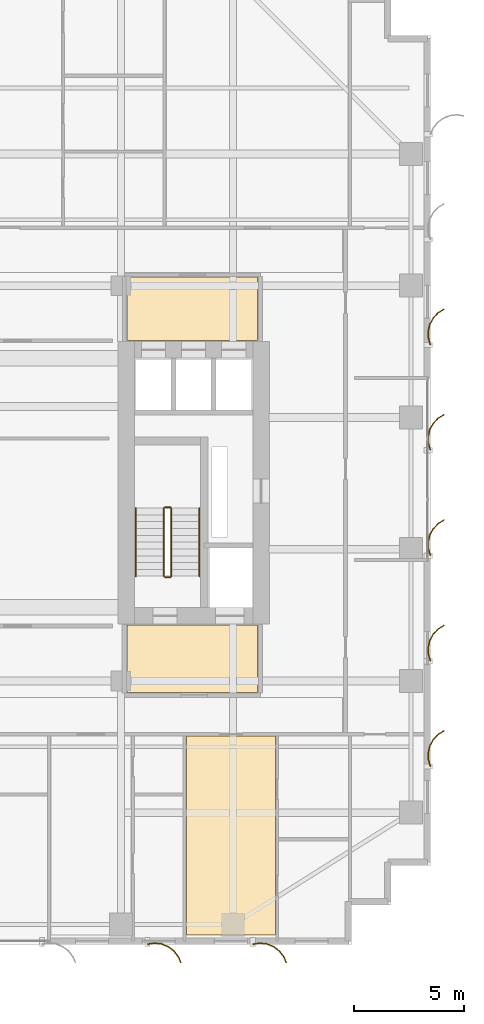
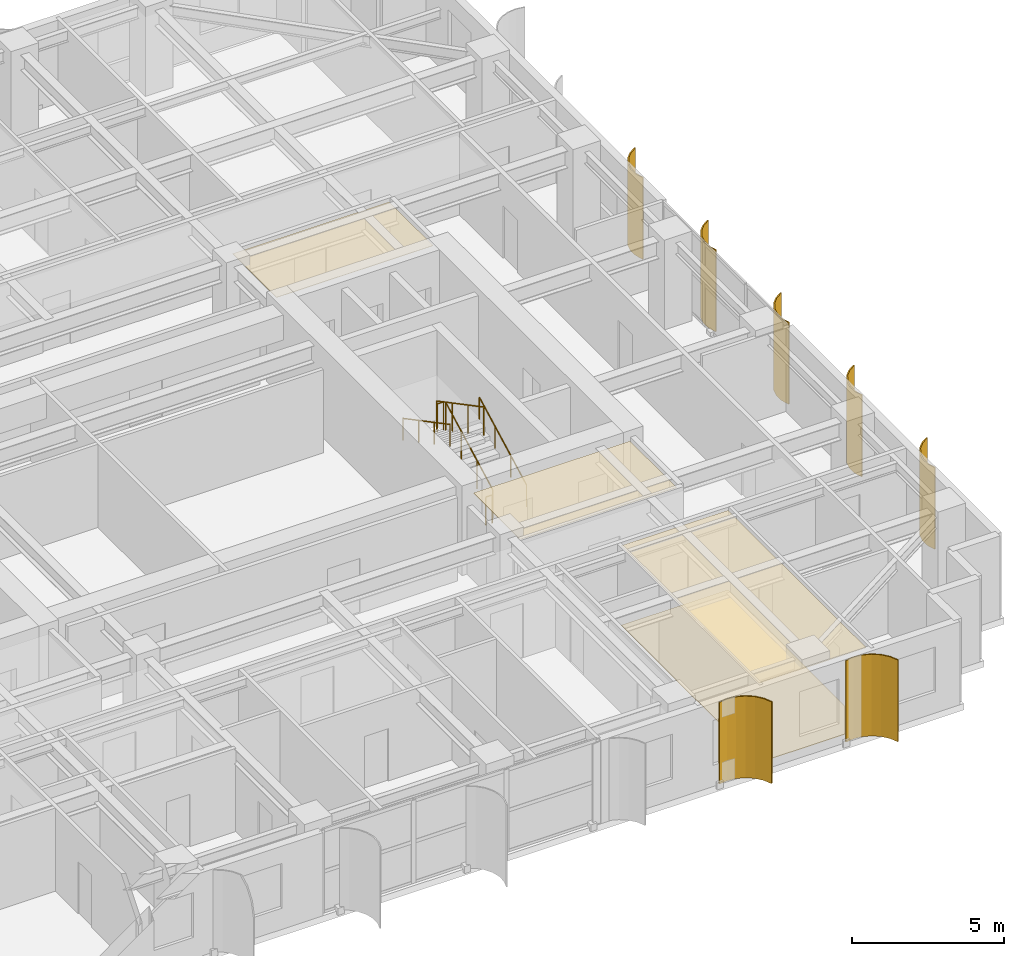
# One storey, part 21 of 22: 7 shading devices, 6 railings, 4 coverings.
"""IFC4 building model written with IfcOpenShell, lengths in metres."""

from ifc_helpers import new_model, si_unit, direction, frame, origin, origin_2d, place, context, subcontext, project, spatial, polyline, circle, outline, extrude, source, transform, mapped, material, layer, layer_set, type_object, element, save


model = new_model("IFC4")

# Units and contexts
model_context = context("Model", 3, precision=1e-05, world=origin(), true_north=direction((0.0, 1.0)))
body_context = subcontext(model_context, "Body", "Model", "MODEL_VIEW")
ifc_project = project(units=[si_unit("LENGTHUNIT", "METRE"), si_unit("AREAUNIT", "SQUARE_METRE"), si_unit("VOLUMEUNIT", "CUBIC_METRE"), si_unit("PLANEANGLEUNIT", "RADIAN"), si_unit("MASSUNIT", "GRAM", prefix="KILO")], contexts=[model_context])

# Site, building, storey
site_placement = place(None, origin())
site = spatial("IfcSite", under=ifc_project, at=site_placement, CompositionType="ELEMENT")
building_placement = place(site_placement, origin())
building = spatial("IfcBuilding", under=site, at=building_placement, Name="Khoralis Quay Care Tower", CompositionType="ELEMENT")
storey_placement = place(building_placement, frame((0.0, 0.0, 94.5)))
storey = spatial("IfcBuildingStorey", under=building, at=storey_placement, Name="L24", CompositionType="ELEMENT", Elevation=94.5)

# Coverings
ifc_material_1 = material(Name="Mineral-fibre acoustic ceiling tile")
ifc_layer_1 = layer(ifc_material_1, 0.01806640625)
ifc_layer_set_1 = layer_set([ifc_layer_1], Name="Mineral-fibre acoustic ceiling tile")
covering_type_1 = type_object("IfcCoveringType", Name="COV-CEIL-AC18", PredefinedType="CEILING", material=ifc_layer_set_1)
covering_1_placement = place(storey_placement, frame((0.0, 0.0, 3.19189453125)))
element("IfcCovering", 1, at=covering_1_placement, inside=storey, type_object=covering_type_1, Name="Suspended Acoustic Ceiling SP-L24-FFLOB-E", PredefinedType="CEILING", context=body_context, shape_type="SweptSolid", body=[
    extrude(outline(polyline([(31.179931640625, 11.47998046875), (37.1201171875, 11.47998046875), (37.1201171875, 14.550048828125), (31.179931640625, 14.550048828125), (31.179931640625, 11.47998046875)])), origin(), (0.0, 0.0, 1.0), 0.01806640625),
])
covering_2_placement = place(storey_placement, frame((0.0, 0.0, 3.19189453125)))
element("IfcCovering", 2, at=covering_2_placement, inside=storey, type_object=covering_type_1, Name="Suspended Acoustic Ceiling SP-L24-LLOB-E", PredefinedType="CEILING", context=body_context, shape_type="SweptSolid", body=[
    extrude(outline(polyline([(31.179931640625, 27.5), (37.1201171875, 27.5), (37.1201171875, 30.389892578125), (31.179931640625, 30.389892578125), (31.179931640625, 27.5)])), origin(), (0.0, 0.0, 1.0), 0.01806640625),
])
covering_3_placement = place(storey_placement, frame((0.0, 0.0, 3.19189453125)))
element("IfcCovering", 3, at=covering_3_placement, inside=storey, type_object=covering_type_1, Name="Suspended Acoustic Ceiling SP-L24-SB-STU4", PredefinedType="CEILING", context=body_context, shape_type="SweptSolid", body=[
    extrude(outline(polyline([(33.8701171875, 0.419921875), (37.927001953125, 0.419921875), (37.927001953125, 9.5), (33.8701171875, 9.5), (33.8701171875, 0.419921875)])), origin(), (0.0, 0.0, 1.0), 0.01806640625),
])
ifc_material_2 = material(Name="Porcelain and non-slip vinyl flooring")
ifc_layer_2 = layer(ifc_material_2, 0.02001953125)
ifc_layer_set_2 = layer_set([ifc_layer_2], Name="Porcelain and non-slip vinyl flooring")
covering_type_2 = type_object("IfcCoveringType", Name="COV-FLOOR-20", PredefinedType="FLOORING", material=ifc_layer_set_2)
covering_4_placement = place(storey_placement, origin())
element("IfcCovering", 4, at=covering_4_placement, inside=storey, type_object=covering_type_2, Name="Resilient Healthcare Flooring SP-L24-SB-STU4", PredefinedType="FLOORING", context=body_context, shape_type="SweptSolid", body=[
    extrude(outline(polyline([(33.8701171875, 0.419921875), (37.927001953125, 0.419921875), (37.927001953125, 9.5), (33.8701171875, 9.5), (33.8701171875, 0.419921875)])), origin(), (0.0, 0.0, 1.0), 0.02001953125),
])

# Railings
ifc_material_3 = material(Name="Brushed stainless steel", Category="steel")
railing_type_1 = type_object("IfcRailingType", Name="RL-GUARD-1150", PredefinedType="GUARDRAIL", material=ifc_material_3)
railing_1_placement = place(storey_placement, frame((33.18994140625, 16.77001953125, 0.16357421875)))
element("IfcRailing", 5, at=railing_1_placement, inside=storey, type_object=railing_type_1, Name="L24 ST-T2 stair guard 1", PredefinedType="GUARDRAIL", context=body_context, shape_type="SweptSolid", body=[
    extrude(circle(Radius=0.02392578125, at=origin_2d()), frame((0.0, 0.0, 1.1259765625), z_axis=(0.0, 0.884348015382, 0.466828220752), x_axis=(-1.0, 0.0, 0.0)), (0.0, 0.0, 1.0), 3.505615234375),
    extrude(circle(Radius=0.02099609375, at=origin_2d()), origin(), (0.0, 0.0, 1.0), 1.101806640625),
    extrude(circle(Radius=0.02099609375, at=origin_2d()), frame((0.0, 1.033447265625, 0.54541015625)), (0.0, 0.0, 1.0), 1.101806640625),
    extrude(circle(Radius=0.02099609375, at=origin_2d()), frame((0.0, 2.066650390625, 1.091064453125)), (0.0, 0.0, 1.0), 1.101806640625),
    extrude(circle(Radius=0.02099609375, at=origin_2d()), frame((0.0, 3.10009765625, 1.636474609375)), (0.0, 0.0, 1.0), 1.101806640625),
])
railing_2_placement = place(storey_placement, frame((33.139892578125, 19.919921875, 1.800048828125)))
element("IfcRailing", 6, at=railing_2_placement, inside=storey, type_object=railing_type_1, Name="L24 ST-T2 stair guard 2", PredefinedType="GUARDRAIL", context=body_context, shape_type="SweptSolid", body=[
    extrude(circle(Radius=0.02392578125, at=origin_2d()), frame((0.0, 0.0, 1.1259765625), z_axis=(-1.0, 0.0, 0.0), x_axis=(0.0, -1.0, 0.0)), (0.0, 0.0, 1.0), 0.239990234375),
    extrude(circle(Radius=0.02099609375, at=origin_2d()), origin(), (0.0, 0.0, 1.0), 1.101806640625),
    extrude(circle(Radius=0.02099609375, at=origin_2d()), frame((-0.239990234375, 0.0, 0.0)), (0.0, 0.0, 1.0), 1.101806640625),
])
railing_3_placement = place(storey_placement, frame((32.85009765625, 19.8701171875, 1.963623046875)))
element("IfcRailing", 7, at=railing_3_placement, inside=storey, type_object=railing_type_1, Name="L24 ST-T2 stair guard 3", PredefinedType="GUARDRAIL", context=body_context, shape_type="SweptSolid", body=[
    extrude(circle(Radius=0.02392578125, at=origin_2d()), frame((0.0, 0.0, 1.1259765625), z_axis=(0.0, -0.884348015382, 0.466828220752), x_axis=(1.0, 0.0, 0.0)), (0.0, 0.0, 1.0), 3.505615234375),
    extrude(circle(Radius=0.02099609375, at=origin_2d()), origin(), (0.0, 0.0, 1.0), 1.101806640625),
    extrude(circle(Radius=0.02099609375, at=origin_2d()), frame((0.0, -1.033447265625, 0.54541015625)), (0.0, 0.0, 1.0), 1.101806640625),
    extrude(circle(Radius=0.02099609375, at=origin_2d()), frame((0.0, -2.066650390625, 1.091064453125)), (0.0, 0.0, 1.0), 1.101806640625),
    extrude(circle(Radius=0.02099609375, at=origin_2d()), frame((0.0, -3.10009765625, 1.636474609375)), (0.0, 0.0, 1.0), 1.101806640625),
])
railing_4_placement = place(storey_placement, frame((33.139892578125, 16.719970703125, 0.0)))
element("IfcRailing", 8, at=railing_4_placement, inside=storey, type_object=railing_type_1, Name="L24 ST-T2 stair guard 4", PredefinedType="GUARDRAIL", context=body_context, shape_type="SweptSolid", body=[
    extrude(circle(Radius=0.02392578125, at=origin_2d()), frame((0.0, 0.0, 1.1259765625), z_axis=(-1.0, 0.0, 0.0), x_axis=(0.0, -1.0, 0.0)), (0.0, 0.0, 1.0), 0.239990234375),
    extrude(circle(Radius=0.02099609375, at=origin_2d()), origin(), (0.0, 0.0, 1.0), 1.101806640625),
    extrude(circle(Radius=0.02099609375, at=origin_2d()), frame((-0.239990234375, 0.0, 0.0)), (0.0, 0.0, 1.0), 1.101806640625),
])
railing_type_2 = type_object("IfcRailingType", Name="RL-HAND-900", PredefinedType="HANDRAIL", material=ifc_material_3)
railing_5_placement = place(storey_placement, frame((34.469970703125, 16.77001953125, 0.16357421875)))
element("IfcRailing", 9, at=railing_5_placement, inside=storey, type_object=railing_type_2, Name="L24 ST-T2 stair handrail 1", PredefinedType="HANDRAIL", context=body_context, shape_type="SweptSolid", body=[
    extrude(circle(Radius=0.02392578125, at=origin_2d()), frame((0.0, 0.0, 0.8759765625), z_axis=(0.0, 0.884348015382, 0.466828220752), x_axis=(-1.0, 0.0, 0.0)), (0.0, 0.0, 1.0), 3.505615234375),
    extrude(circle(Radius=0.02099609375, at=origin_2d()), origin(), (0.0, 0.0, 1.0), 0.851806640625),
    extrude(circle(Radius=0.02099609375, at=origin_2d()), frame((0.0, 1.033447265625, 0.54541015625)), (0.0, 0.0, 1.0), 0.851806640625),
    extrude(circle(Radius=0.02099609375, at=origin_2d()), frame((0.0, 2.066650390625, 1.091064453125)), (0.0, 0.0, 1.0), 0.851806640625),
    extrude(circle(Radius=0.02099609375, at=origin_2d()), frame((0.0, 3.10009765625, 1.636474609375)), (0.0, 0.0, 1.0), 0.851806640625),
])
railing_6_placement = place(storey_placement, frame((31.570068359375, 19.8701171875, 1.963623046875)))
element("IfcRailing", 10, at=railing_6_placement, inside=storey, type_object=railing_type_2, Name="L24 ST-T2 stair handrail 2", PredefinedType="HANDRAIL", context=body_context, shape_type="SweptSolid", body=[
    extrude(circle(Radius=0.02392578125, at=origin_2d()), frame((0.0, 0.0, 0.8759765625), z_axis=(0.0, -0.884348015382, 0.466828220752), x_axis=(1.0, 0.0, 0.0)), (0.0, 0.0, 1.0), 3.505615234375),
    extrude(circle(Radius=0.02099609375, at=origin_2d()), origin(), (0.0, 0.0, 1.0), 0.851806640625),
    extrude(circle(Radius=0.02099609375, at=origin_2d()), frame((0.0, -1.033447265625, 0.54541015625)), (0.0, 0.0, 1.0), 0.851806640625),
    extrude(circle(Radius=0.02099609375, at=origin_2d()), frame((0.0, -2.066650390625, 1.091064453125)), (0.0, 0.0, 1.0), 0.851806640625),
    extrude(circle(Radius=0.02099609375, at=origin_2d()), frame((0.0, -3.10009765625, 1.636474609375)), (0.0, 0.0, 1.0), 0.851806640625),
])

# Shading devices
ifc_material_4 = material(Name="Brushed pale anodised aluminium", Category="aluminium")
ifc_layer_3 = layer(ifc_material_4, 0.044921875)
ifc_layer_set_3 = layer_set([ifc_layer_3], Name="Brushed pale anodised aluminium")
shading_device_type = type_object("IfcShadingDeviceType", Name="SHD-FIN-1250", PredefinedType="USERDEFINED", material=ifc_layer_set_3)
shared_shape_1 = source(origin(), body_context, "Body", "SweptSolid", [
    extrude(outline(polyline([(0.0, 0.0), (-0.04833984375, 0.32275390625), (-0.01123046875, 0.64697265625), (0.1083984375, 0.950439453125), (0.302490234375, 1.212890625), (0.557861328125, 1.416015625), (0.85693359375, 1.546142578125), (0.869384765625, 1.5029296875), (0.5810546875, 1.37744140625), (0.334716796875, 1.181640625), (0.147705078125, 0.9287109375), (0.032470703125, 0.635986328125), (-0.003173828125, 0.323486328125), (0.043212890625, 0.012451171875), (0.0, 0.0)])), origin(), (0.0, 0.0, 1.0), 3.280029296875),
])
for number, where, z_axis, x_axis, name in (
    (11, (32.10009765625, 0.030029296875, 0.02001953125), (0.0, 0.0, 1.0), (0.0, -1.0, 0.0), "L24 Curved Solar Fin P1E0-06"),
    (12, (36.89990234375, 0.030029296875, 0.02001953125), (0.0, 0.0, 1.0), (0.0, -1.0, 0.0), "L24 Curved Solar Fin P1E0-07"),
):
    element("IfcShadingDevice", number, at=place(storey_placement, frame(where, z_axis=z_axis, x_axis=x_axis)), inside=storey, type_object=shading_device_type, Name=name, ObjectType="FIN", PredefinedType="USERDEFINED", context=body_context, shape_type="MappedRepresentation", body=[
        mapped(shared_shape_1, transform((0.0, 0.0, 0.0), scale=1.0)),
    ])
shared_shape_2 = source(origin(), body_context, "Body", "SweptSolid", [
    extrude(outline(polyline([(0.0, 0.0), (-0.0927734375, 0.31298828125), (-0.101318359375, 0.63916015625), (-0.025146484375, 0.956298828125), (0.130615234375, 1.2431640625), (0.355224609375, 1.479736328125), (0.633544921875, 1.650390625), (0.65185546875, 1.609130859375), (0.383544921875, 1.44482421875), (0.1669921875, 1.216796875), (0.01708984375, 0.940185546875), (-0.056396484375, 0.63427734375), (-0.04833984375, 0.31982421875), (0.041015625, 0.018310546875), (0.0, 0.0)])), origin(), (0.0, 0.0, 1.0), 3.280029296875),
])
for number, where, z_axis, x_axis, name in (
    (13, (44.969970703125, 8.10009765625, 0.02001953125), (0.0, 0.0, 1.0), (1.0, 0.0, 0.0), "L24 Curved Solar Fin P1E5-01"),
    (14, (44.969970703125, 12.89990234375, 0.02001953125), (0.0, 0.0, 1.0), (1.0, 0.0, 0.0), "L24 Curved Solar Fin P1E5-02"),
    (15, (44.969970703125, 17.699951171875, 0.02001953125), (0.0, 0.0, 1.0), (1.0, 0.0, 0.0), "L24 Curved Solar Fin P1E5-03"),
    (16, (44.969970703125, 22.5, 0.02001953125), (0.0, 0.0, 1.0), (1.0, 0.0, 0.0), "L24 Curved Solar Fin P1E5-04"),
    (17, (44.969970703125, 27.300048828125, 0.02001953125), (0.0, 0.0, 1.0), (1.0, 0.0, 0.0), "L24 Curved Solar Fin P1E5-05"),
):
    element("IfcShadingDevice", number, at=place(storey_placement, frame(where, z_axis=z_axis, x_axis=x_axis)), inside=storey, type_object=shading_device_type, Name=name, ObjectType="FIN", PredefinedType="USERDEFINED", context=body_context, shape_type="MappedRepresentation", body=[
        mapped(shared_shape_2, transform((0.0, 0.0, 0.0), scale=1.0)),
    ])

save(model, "model.ifc")
